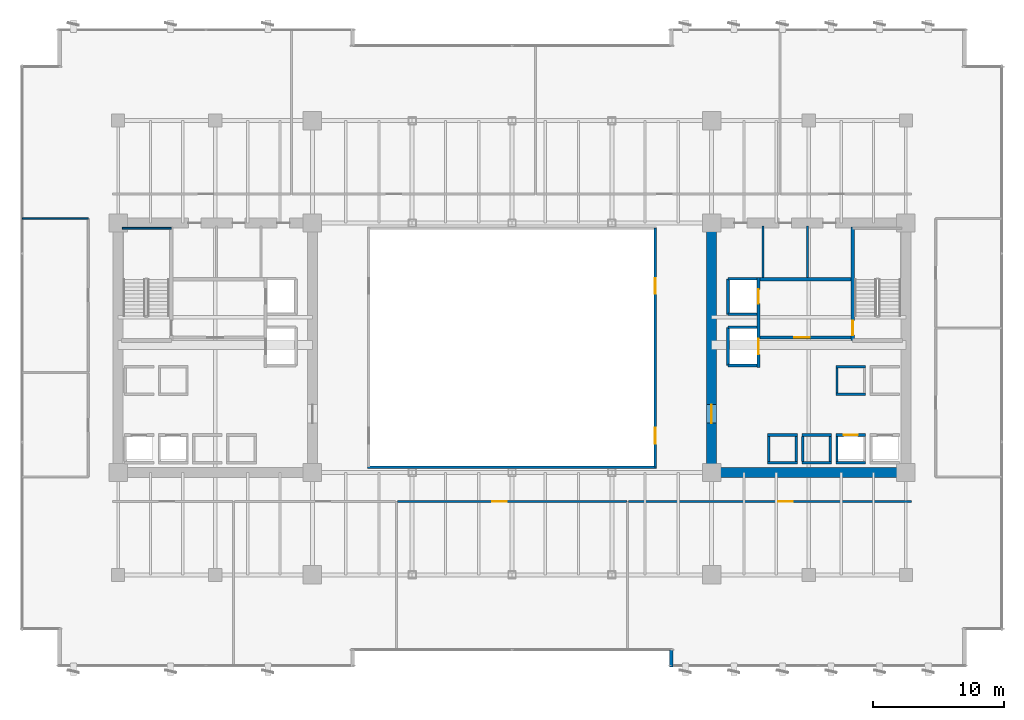
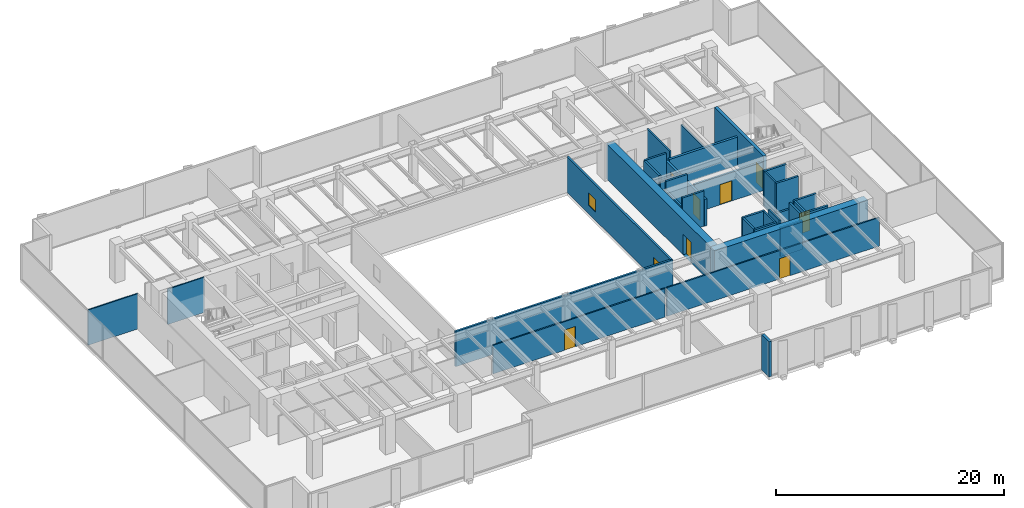
# One storey, part 30 of 36: 35 walls, 8 doors, 2 windows, 10 openings.
"""IFC4 building model written with IfcOpenShell, lengths in metres."""

from ifc_helpers import new_model, si_unit, direction, frame, frame_2d, origin, place, context, subcontext, project, spatial, rectangle, extrude, source, transform, mapped, material, layer, layer_set, type_object, type_shapes, element, fill, save


model = new_model("IFC4")

# Units and contexts
model_context = context("Model", 3, precision=1e-05, world=origin(), true_north=direction((0.0, 1.0)))
body_context = subcontext(model_context, "Body", "Model", "MODEL_VIEW")
ifc_project = project(units=[si_unit("LENGTHUNIT", "METRE"), si_unit("AREAUNIT", "SQUARE_METRE"), si_unit("VOLUMEUNIT", "CUBIC_METRE"), si_unit("PLANEANGLEUNIT", "RADIAN"), si_unit("MASSUNIT", "GRAM", prefix="KILO")], contexts=[model_context])

# Site, building, storey
site_placement = place(None, origin())
site = spatial("IfcSite", under=ifc_project, at=site_placement, CompositionType="ELEMENT")
building_placement = place(site_placement, origin())
building = spatial("IfcBuilding", under=site, at=building_placement, Name="Haelvirn Gate Laboratories", CompositionType="ELEMENT")
storey_placement = place(building_placement, frame((0.0, 0.0, 29.300048828125)))
storey = spatial("IfcBuildingStorey", under=building, at=storey_placement, Name="L07", CompositionType="ELEMENT", Elevation=29.300048828125)

# Wall
ifc_material_1 = material(Name="Thermally-broken bronze aluminium rainscreen & mineral wool", Category="aluminium")
ifc_layer_1 = layer(ifc_material_1, 0.280029296875, Name="EW-TERR-280")
ifc_layer_set_1 = layer_set([ifc_layer_1], Name="Thermally-broken bronze aluminium rainscreen & mineral wool")
wall_type_1 = type_object("IfcWallType", Name="EW-TERR-280", PredefinedType="STANDARD", material=ifc_layer_set_1)
wall_1_placement = place(storey_placement, frame((49.5400390625, 1.2880859375, 0.0), z_axis=(0.0, 0.0, 1.0), x_axis=(0.0, -1.0, 0.0)))
element("IfcWall", 1, at=wall_1_placement, inside=storey, type_object=wall_type_1, Name="L07 Atrium Recess Bronze Return Wall 03", PredefinedType="STANDARD", context=body_context, shape_type="SweptSolid", body=[
    extrude(rectangle(XDim=1.2880859375, YDim=0.280029296875, at=frame_2d((0.64404296875, 0.0))), origin(), (0.0, 0.0, 1.0), 3.780029296875),
])

# Wall, openings, windows
ifc_material_2 = material(Name="Tempered fire-rated borosilicate glass & anodised aluminium", Category="aluminium")
ifc_layer_2 = layer(ifc_material_2, 0.195068359375, Name="IW-GLAZ-200")
ifc_layer_set_2 = layer_set([ifc_layer_2], Name="Tempered fire-rated borosilicate glass & anodised aluminium")
wall_type_2 = type_object("IfcWallType", Name="IW-GLAZ-200", PredefinedType="SOLIDWALL", material=ifc_layer_set_2)
wall_2_placement = place(storey_placement, frame((48.300048828125, 15.199951171875, 0.0), z_axis=(0.0, 0.0, 1.0), x_axis=(0.0, 1.0, 0.0)))
wall_2 = element("IfcWall", 2, at=wall_2_placement, inside=storey, type_object=wall_type_2, Name="L07 Interior Wall IW-L07-ATRIUM-E", PredefinedType="SOLIDWALL", context=body_context, shape_type="SweptSolid", body=[
    extrude(rectangle(XDim=18.199951171875, YDim=0.195068359375, at=frame_2d((9.10009765625, 0.0))), origin(), (0.0, 0.0, 1.0), 3.780029296875),
])
opening_1_placement = place(wall_2_placement, frame((1.800048828125, 0.0, 0.89990234375)))
opening_1 = element("IfcOpeningElement", 3, at=opening_1_placement, cuts=wall_2, Name="Opening W6", PredefinedType="OPENING", context=body_context, shape_type="SweptSolid", body=[
    extrude(rectangle(XDim=1.199951171875, YDim=1.35009765625, at=frame_2d((0.60009765625, 0.675048828125))), frame((0.0, 0.107421875, 0.0), z_axis=(0.0, -1.0, 0.0), x_axis=(1.0, 0.0, 0.0)), (0.0, 0.0, 1.0), 0.215087890625),
])
opening_2_placement = place(wall_2_placement, frame((13.199951171875, 0.0, 0.89990234375)))
opening_2 = element("IfcOpeningElement", 4, at=opening_2_placement, cuts=wall_2, Name="Opening W6", PredefinedType="OPENING", context=body_context, shape_type="SweptSolid", body=[
    extrude(rectangle(XDim=1.199951171875, YDim=1.35009765625, at=frame_2d((0.60009765625, 0.675048828125))), frame((0.0, 0.107421875, 0.0), z_axis=(0.0, -1.0, 0.0), x_axis=(1.0, 0.0, 0.0)), (0.0, 0.0, 1.0), 0.215087890625),
])
ifc_material_3 = material(Name="Fire-rated EI 120 borosilicate atrium vision glazing", Category="glass")
window_type = type_object("IfcWindowType", Name="WN-ATR-1200", PartitioningType="SINGLE_PANEL", PredefinedType="WINDOW", material=ifc_material_3)
shared_shape_1 = source(origin(), body_context, "Body", "SweptSolid", [
    extrude(rectangle(XDim=1.199951171875, YDim=1.35009765625, at=frame_2d((0.60009765625, 0.675048828125))), frame((0.0, 0.030029296875, 0.0), z_axis=(0.0, -1.0, 0.0), x_axis=(1.0, 0.0, 0.0)), (0.0, 0.0, 1.0), 0.06005859375),
])
type_shapes(window_type, [shared_shape_1])
window_1_placement = place(opening_1_placement, origin())
window_1 = element("IfcWindow", 5, at=window_1_placement, inside=storey, type_object=window_type, Name="L07 Atrium Observation Window 1", OverallHeight=1.35009765625, OverallWidth=1.199951171875, PartitioningType="SINGLE_PANEL", PredefinedType="WINDOW", context=body_context, shape_type="MappedRepresentation", body=[
    mapped(shared_shape_1, transform((0.0, 0.0, 0.0), scale=1.0)),
])
fill(opening_1, window_1)
window_2_placement = place(opening_2_placement, origin())
window_2 = element("IfcWindow", 6, at=window_2_placement, inside=storey, type_object=window_type, Name="L07 Atrium Observation Window 2", OverallHeight=1.35009765625, OverallWidth=1.199951171875, PartitioningType="SINGLE_PANEL", PredefinedType="WINDOW", context=body_context, shape_type="MappedRepresentation", body=[
    mapped(shared_shape_1, transform((0.0, 0.0, 0.0), scale=1.0)),
])
fill(opening_2, window_2)

# Walls
wall_3_placement = place(storey_placement, frame((26.39990234375, 15.199951171875, 0.0), z_axis=(0.0, 0.0, 1.0), x_axis=(1.0, 0.0, 0.0)))
element("IfcWall", 7, at=wall_3_placement, inside=storey, type_object=wall_type_2, Name="L07 Interior Wall IW-L07-ATRIUM-S", PredefinedType="SOLIDWALL", context=body_context, shape_type="SweptSolid", body=[
    extrude(rectangle(XDim=22.0, YDim=0.195068359375, at=frame_2d((11.0, 0.0))), origin(), (0.0, 0.0, 1.0), 3.780029296875),
])
ifc_material_4 = material(Name="Lightweight acoustic gypsum board partition", Category="gypsum")
ifc_layer_3 = layer(ifc_material_4, 0.1201171875, Name="IW-PART-120")
ifc_layer_set_3 = layer_set([ifc_layer_3], Name="Lightweight acoustic gypsum board partition")
wall_type_3 = type_object("IfcWallType", Name="IW-PART-120", PredefinedType="PARTITIONING", material=ifc_layer_set_3)
wall_4_placement = place(storey_placement, frame((0.110107421875, 34.135009765625, 0.0), z_axis=(0.0, 0.0, 1.0), x_axis=(1.0, 0.0, 0.0)))
element("IfcWall", 8, at=wall_4_placement, inside=storey, type_object=wall_type_3, Name="L07 Interior Wall IW-L07-WCAP-N", PredefinedType="PARTITIONING", context=body_context, shape_type="SweptSolid", body=[
    extrude(rectangle(XDim=5.019775390625, YDim=0.1201171875, at=frame_2d((2.509765625, 0.0))), origin(), (0.0, 0.0, 1.0), 3.780029296875),
])

# Wall, opening, door
ifc_material_5 = material(Name="Acoustic mineral-wool gypsum board partition", Category="gypsum")
ifc_layer_4 = layer(ifc_material_5, 0.139892578125, Name="IW-PART-140")
ifc_layer_set_4 = layer_set([ifc_layer_4], Name="Acoustic mineral-wool gypsum board partition")
wall_type_4 = type_object("IfcWallType", Name="IW-PART-140", PredefinedType="PARTITIONING", material=ifc_layer_set_4)
wall_5_placement = place(storey_placement, frame((28.679931640625, 12.590087890625, 0.0), z_axis=(0.0, 0.0, 1.0), x_axis=(1.0, 0.0, 0.0)))
wall_5 = element("IfcWall", 9, at=wall_5_placement, inside=storey, type_object=wall_type_4, Name="L07 Interior Wall IW-L07-SCORR-03", PredefinedType="PARTITIONING", context=body_context, shape_type="SweptSolid", body=[
    extrude(rectangle(XDim=17.440185546875, YDim=0.139892578125, at=frame_2d((8.72021484375, 0.0))), origin(), (0.0, 0.0, 1.0), 3.06494140625),
])
opening_3_placement = place(wall_5_placement, frame((7.231689453125, 0.0, 0.0)))
opening_3 = element("IfcOpeningElement", 10, at=opening_3_placement, cuts=wall_5, Name="Opening D1", PredefinedType="OPENING", context=body_context, shape_type="SweptSolid", body=[
    extrude(rectangle(XDim=1.10009765625, YDim=2.179931640625, at=frame_2d((0.550048828125, 1.08984375))), frame((0.0, 0.080078125, 0.0), z_axis=(0.0, -1.0, 0.0), x_axis=(1.0, 0.0, 0.0)), (0.0, 0.0, 1.0), 0.159912109375),
])
ifc_material_6 = material(Name="Vision-panel acoustic solid-core timber lab door", Category="wood")
door_type_1 = type_object("IfcDoorType", Name="DR-LAB-1100", OperationType="NOTDEFINED", PredefinedType="DOOR", material=ifc_material_6)
shared_shape_2 = source(origin(), body_context, "Body", "SweptSolid", [
    extrude(rectangle(XDim=1.10009765625, YDim=2.179931640625, at=frame_2d((0.550048828125, 1.08984375))), frame((0.0, 0.02490234375, 0.0), z_axis=(0.0, -1.0, 0.0), x_axis=(1.0, 0.0, 0.0)), (0.0, 0.0, 1.0), 0.050048828125),
])
type_shapes(door_type_1, [shared_shape_2])
door_1_placement = place(opening_3_placement, origin())
door_1 = element("IfcDoor", 11, at=door_1_placement, inside=storey, type_object=door_type_1, Name="L07 Protocol Briefing Training Room Door S3", OperationType="SINGLE_SWING_RIGHT", OverallHeight=2.179931640625, OverallWidth=1.10009765625, PredefinedType="DOOR", context=body_context, shape_type="MappedRepresentation", body=[
    mapped(shared_shape_2, transform((0.0, 0.0, 0.0), scale=1.0)),
])
fill(opening_3, door_1)

wall_6_placement = place(storey_placement, frame((46.280029296875, 12.590087890625, 0.0), z_axis=(0.0, 0.0, 1.0), x_axis=(1.0, 0.0, 0.0)))
wall_6 = element("IfcWall", 12, at=wall_6_placement, inside=storey, type_object=wall_type_4, Name="L07 Interior Wall IW-L07-SCORR-04", PredefinedType="PARTITIONING", context=body_context, shape_type="SweptSolid", body=[
    extrude(rectangle(XDim=21.5400390625, YDim=0.139892578125, at=frame_2d((10.77001953125, 0.0))), origin(), (0.0, 0.0, 1.0), 3.06494140625),
])
opening_4_placement = place(wall_6_placement, frame((11.404296875, 0.0, 0.0)))
opening_4 = element("IfcOpeningElement", 13, at=opening_4_placement, cuts=wall_6, Name="Opening D1", PredefinedType="OPENING", context=body_context, shape_type="SweptSolid", body=[
    extrude(rectangle(XDim=1.10009765625, YDim=2.179931640625, at=frame_2d((0.550048828125, 1.08984375))), frame((0.0, 0.080078125, 0.0), z_axis=(0.0, -1.0, 0.0), x_axis=(1.0, 0.0, 0.0)), (0.0, 0.0, 1.0), 0.159912109375),
])
door_2_placement = place(opening_4_placement, origin())
door_2 = element("IfcDoor", 14, at=door_2_placement, inside=storey, type_object=door_type_1, Name="L07 Peer-Review Seminar Room Door S4", OperationType="SINGLE_SWING_LEFT", OverallHeight=2.179931640625, OverallWidth=1.10009765625, PredefinedType="DOOR", context=body_context, shape_type="MappedRepresentation", body=[
    mapped(shared_shape_2, transform((0.0, 0.0, 0.0), scale=1.0)),
])
fill(opening_4, door_2)

# Walls
ifc_material_7 = material(Name="Cement-board restroom plumbing chase wall", Category="gypsum")
ifc_layer_5 = layer(ifc_material_7, 0.155029296875, Name="IW-PLUMB-160")
ifc_layer_set_5 = layer_set([ifc_layer_5], Name="Cement-board restroom plumbing chase wall")
wall_type_5 = type_object("IfcWallType", Name="IW-PLUMB-160", PredefinedType="PLUMBINGWALL", material=ifc_layer_set_5)
wall_7_placement = place(storey_placement, frame((59.909912109375, 29.64990234375, 0.0), z_axis=(0.0, 0.0, 1.0), x_axis=(0.0, 1.0, 0.0)))
element("IfcWall", 15, at=wall_7_placement, inside=storey, type_object=wall_type_5, Name="L07 Interior Wall IW-L07-E-CDIV-1", PredefinedType="PLUMBINGWALL", context=body_context, shape_type="SweptSolid", body=[
    extrude(rectangle(XDim=3.93017578125, YDim=0.155029296875, at=frame_2d((1.965087890625, 0.0))), origin(), (0.0, 0.0, 1.0), 3.06494140625),
])
wall_8_placement = place(storey_placement, frame((56.510009765625, 29.64990234375, 0.0), z_axis=(0.0, 0.0, 1.0), x_axis=(0.0, 1.0, 0.0)))
element("IfcWall", 16, at=wall_8_placement, inside=storey, type_object=wall_type_5, Name="L07 Interior Wall IW-L07-E-CDIV-2", PredefinedType="PLUMBINGWALL", context=body_context, shape_type="SweptSolid", body=[
    extrude(rectangle(XDim=3.93017578125, YDim=0.155029296875, at=frame_2d((1.965087890625, 0.0))), origin(), (0.0, 0.0, 1.0), 3.780029296875),
])
ifc_material_8 = material(Name="Concrete C40/50", Category="concrete")
ifc_layer_6 = layer(ifc_material_8, 0.179931640625, Name="IW-SHAFT-180")
ifc_layer_set_6 = layer_set([ifc_layer_6], Name="Concrete C40/50")
wall_type_6 = type_object("IfcWallType", Name="IW-SHAFT-180", PredefinedType="SOLIDWALL", material=ifc_layer_set_6)
for number, where, z_axis, x_axis, name in (
    (17, (62.14990234375, 15.64990234375, 0.0), (0.0, 0.0, 1.0), (0.0, 1.0, 0.0), "L07 Interior Wall IW-L07-PL4-SD"),
    (18, (59.550048828125, 15.64990234375, 0.0), (0.0, 0.0, 1.0), (0.0, 1.0, 0.0), "L07 Interior Wall IW-L07-PL7-SD"),
    (19, (61.64990234375, 15.64990234375, 0.0), (0.0, 0.0, 1.0), (0.0, 1.0, 0.0), "L07 Interior Wall IW-L07-PL7-SDE"),
    (20, (56.949951171875, 15.64990234375, 0.0), (0.0, 0.0, 1.0), (0.0, 1.0, 0.0), "L07 Interior Wall IW-L07-PL8-SD"),
    (21, (59.050048828125, 15.64990234375, 0.0), (0.0, 0.0, 1.0), (0.0, 1.0, 0.0), "L07 Interior Wall IW-L07-PL8-SDE"),
):
    element("IfcWall", number, at=place(storey_placement, frame(where, z_axis=z_axis, x_axis=x_axis)), inside=storey, type_object=wall_type_6, Name=name, PredefinedType="SOLIDWALL", context=body_context, shape_type="SweptSolid", body=[
        extrude(rectangle(XDim=1.900146484375, YDim=0.179931640625, at=frame_2d((0.9501953125, 0.0))), origin(), (0.0, 0.0, 1.0), 3.780029296875),
    ])
wall_9_placement = place(storey_placement, frame((62.14990234375, 20.85009765625, 0.0), z_axis=(0.0, 0.0, 1.0), x_axis=(0.0, 1.0, 0.0)))
element("IfcWall", 22, at=wall_9_placement, inside=storey, type_object=wall_type_6, Name="L07 Interior Wall IW-L07-PL12-SD", PredefinedType="SOLIDWALL", context=body_context, shape_type="SweptSolid", body=[
    extrude(rectangle(XDim=1.89990234375, YDim=0.179931640625, at=frame_2d((0.949951171875, 0.0))), origin(), (0.0, 0.0, 1.0), 3.780029296875),
])

# Wall, opening, door
ifc_layer_7 = layer(ifc_material_8, 0.199951171875, Name="IW-SHAFT-200")
ifc_layer_set_7 = layer_set([ifc_layer_7], Name="Concrete C40/50")
wall_type_7 = type_object("IfcWallType", Name="IW-SHAFT-200", PredefinedType="SOLIDWALL", material=ifc_layer_set_7)
wall_10_placement = place(storey_placement, frame((62.070068359375, 17.64990234375, 0.0), z_axis=(0.0, 0.0, 1.0), x_axis=(1.0, 0.0, 0.0)))
wall_10 = element("IfcWall", 23, at=wall_10_placement, inside=storey, type_object=wall_type_7, Name="L07 Interior Wall IW-L07-PL4-FR", PredefinedType="SOLIDWALL", context=body_context, shape_type="SweptSolid", body=[
    extrude(rectangle(XDim=2.260009765625, YDim=0.199951171875, at=frame_2d((1.1298828125, 0.0))), origin(), (0.0, 0.0, 1.0), 3.780029296875),
])
opening_5_placement = place(wall_10_placement, frame((0.580078125, 0.0, 0.0)))
opening_5 = element("IfcOpeningElement", 24, at=opening_5_placement, cuts=wall_10, Name="Opening LD2", PredefinedType="OPENING", context=body_context, shape_type="SweptSolid", body=[
    extrude(rectangle(XDim=1.10009765625, YDim=2.219970703125, at=frame_2d((0.550048828125, 1.10986328125))), frame((0.0, 0.10986328125, 0.0), z_axis=(0.0, -1.0, 0.0), x_axis=(1.0, 0.0, 0.0)), (0.0, 0.0, 1.0), 0.219970703125),
])
ifc_material_9 = material(Name="Bronze stainless 316L sliding lift landing door")
door_type_2 = type_object("IfcDoorType", Name="DR-LD-1100", OperationType="NOTDEFINED", PredefinedType="USERDEFINED", material=ifc_material_9)
shared_shape_3 = source(origin(), body_context, "Body", "SweptSolid", [
    extrude(rectangle(XDim=1.10009765625, YDim=2.219970703125, at=frame_2d((0.550048828125, 1.10986328125))), frame((0.0, 0.02490234375, 0.0), z_axis=(0.0, -1.0, 0.0), x_axis=(1.0, 0.0, 0.0)), (0.0, 0.0, 1.0), 0.050048828125),
])
type_shapes(door_type_2, [shared_shape_3])
door_3_placement = place(opening_5_placement, origin())
door_3 = element("IfcDoor", 25, at=door_3_placement, inside=storey, type_object=door_type_2, Name="L07 Passenger Lift PL4 Landing Door", ObjectType="LANDING_DOOR", OperationType="SLIDING_TO_RIGHT", OverallHeight=2.219970703125, OverallWidth=1.10009765625, PredefinedType="USERDEFINED", context=body_context, shape_type="MappedRepresentation", body=[
    mapped(shared_shape_3, transform((0.0, 0.0, 0.0), scale=1.0)),
])
fill(opening_5, door_3)

# Walls
wall_11_placement = place(storey_placement, frame((62.070068359375, 15.550048828125, 0.0), z_axis=(0.0, 0.0, 1.0), x_axis=(1.0, 0.0, 0.0)))
element("IfcWall", 26, at=wall_11_placement, inside=storey, type_object=wall_type_7, Name="L07 Interior Wall IW-L07-PL4-BK", PredefinedType="SOLIDWALL", context=body_context, shape_type="SweptSolid", body=[
    extrude(rectangle(XDim=2.260009765625, YDim=0.199951171875, at=frame_2d((1.1298828125, 0.0))), origin(), (0.0, 0.0, 1.0), 3.780029296875),
])
for number, where, z_axis, x_axis, name in (
    (27, (59.469970703125, 17.64990234375, 0.0), (0.0, 0.0, 1.0), (1.0, 0.0, 0.0), "L07 Interior Wall IW-L07-PL7-FR"),
    (28, (59.469970703125, 15.550048828125, 0.0), (0.0, 0.0, 1.0), (1.0, 0.0, 0.0), "L07 Interior Wall IW-L07-PL7-BK"),
):
    element("IfcWall", number, at=place(storey_placement, frame(where, z_axis=z_axis, x_axis=x_axis)), inside=storey, type_object=wall_type_7, Name=name, PredefinedType="SOLIDWALL", context=body_context, shape_type="SweptSolid", body=[
        extrude(rectangle(XDim=2.260009765625, YDim=0.199951171875, at=frame_2d((1.1298828125, 0.0))), origin(), (0.0, 0.0, 1.0), 3.06494140625),
    ])
for number, where, z_axis, x_axis, name in (
    (29, (56.8701171875, 17.64990234375, 0.0), (0.0, 0.0, 1.0), (1.0, 0.0, 0.0), "L07 Interior Wall IW-L07-PL8-FR"),
    (30, (56.8701171875, 15.550048828125, 0.0), (0.0, 0.0, 1.0), (1.0, 0.0, 0.0), "L07 Interior Wall IW-L07-PL8-BK"),
):
    element("IfcWall", number, at=place(storey_placement, frame(where, z_axis=z_axis, x_axis=x_axis)), inside=storey, type_object=wall_type_7, Name=name, PredefinedType="SOLIDWALL", context=body_context, shape_type="SweptSolid", body=[
        extrude(rectangle(XDim=2.259765625, YDim=0.199951171875, at=frame_2d((1.1298828125, 0.0))), origin(), (0.0, 0.0, 1.0), 3.780029296875),
    ])
for number, where, z_axis, x_axis, name in (
    (31, (62.070068359375, 20.75, 0.0), (0.0, 0.0, 1.0), (1.0, 0.0, 0.0), "L07 Interior Wall IW-L07-PL12-FR"),
    (32, (62.070068359375, 22.85009765625, 0.0), (0.0, 0.0, 1.0), (1.0, 0.0, 0.0), "L07 Interior Wall IW-L07-PL12-BK"),
):
    element("IfcWall", number, at=place(storey_placement, frame(where, z_axis=z_axis, x_axis=x_axis)), inside=storey, type_object=wall_type_7, Name=name, PredefinedType="SOLIDWALL", context=body_context, shape_type="SweptSolid", body=[
        extrude(rectangle(XDim=2.260009765625, YDim=0.199951171875, at=frame_2d((1.1298828125, 0.0))), origin(), (0.0, 0.0, 1.0), 3.780029296875),
    ])
wall_12_placement = place(storey_placement, frame((53.85009765625, 26.85009765625, 0.0), z_axis=(0.0, 0.0, 1.0), x_axis=(0.0, 1.0, 0.0)))
element("IfcWall", 33, at=wall_12_placement, inside=storey, type_object=wall_type_7, Name="L07 Interior Wall IW-L07-FL2-BK", PredefinedType="SOLIDWALL", context=body_context, shape_type="SweptSolid", body=[
    extrude(rectangle(XDim=2.699951171875, YDim=0.199951171875, at=frame_2d((1.35009765625, 0.0))), origin(), (0.0, 0.0, 1.0), 3.780029296875),
])
wall_13_placement = place(storey_placement, frame((53.85009765625, 29.550048828125, 0.0), z_axis=(0.0, 0.0, 1.0), x_axis=(1.0, 0.0, 0.0)))
element("IfcWall", 34, at=wall_13_placement, inside=storey, type_object=wall_type_7, Name="L07 Interior Wall IW-L07-FL2-N", PredefinedType="SOLIDWALL", context=body_context, shape_type="SweptSolid", body=[
    extrude(rectangle(XDim=2.18994140625, YDim=0.199951171875, at=frame_2d((1.094970703125, 0.0))), origin(), (0.0, 0.0, 1.0), 3.780029296875),
])
wall_14_placement = place(storey_placement, frame((53.85009765625, 26.85009765625, 0.0), z_axis=(0.0, 0.0, 1.0), x_axis=(1.0, 0.0, 0.0)))
element("IfcWall", 35, at=wall_14_placement, inside=storey, type_object=wall_type_7, Name="L07 Interior Wall IW-L07-FL2-S", PredefinedType="SOLIDWALL", context=body_context, shape_type="SweptSolid", body=[
    extrude(rectangle(XDim=2.18994140625, YDim=0.199951171875, at=frame_2d((1.094970703125, 0.0))), origin(), (0.0, 0.0, 1.0), 3.177001953125),
])
wall_15_placement = place(storey_placement, frame((53.85009765625, 22.949951171875, 0.0), z_axis=(0.0, 0.0, 1.0), x_axis=(0.0, 1.0, 0.0)))
element("IfcWall", 36, at=wall_15_placement, inside=storey, type_object=wall_type_7, Name="L07 Interior Wall IW-L07-SL2-BK", PredefinedType="SOLIDWALL", context=body_context, shape_type="SweptSolid", body=[
    extrude(rectangle(XDim=2.900146484375, YDim=0.199951171875, at=frame_2d((1.4501953125, 0.0))), origin(), (0.0, 0.0, 1.0), 2.864990234375),
])
for number, where, z_axis, x_axis, name in (
    (37, (53.85009765625, 25.85009765625, 0.0), (0.0, 0.0, 1.0), (1.0, 0.0, 0.0), "L07 Interior Wall IW-L07-SL2-N"),
    (38, (53.85009765625, 22.949951171875, 0.0), (0.0, 0.0, 1.0), (1.0, 0.0, 0.0), "L07 Interior Wall IW-L07-SL2-S"),
):
    element("IfcWall", number, at=place(storey_placement, frame(where, z_axis=z_axis, x_axis=x_axis)), inside=storey, type_object=wall_type_7, Name=name, PredefinedType="SOLIDWALL", context=body_context, shape_type="SweptSolid", body=[
        extrude(rectangle(XDim=2.18994140625, YDim=0.199951171875, at=frame_2d((1.094970703125, 0.0))), origin(), (0.0, 0.0, 1.0), 3.780029296875),
    ])

# Wall, opening, door
ifc_layer_8 = layer(ifc_material_8, 0.239990234375, Name="IW-SHAFT-240")
ifc_layer_set_8 = layer_set([ifc_layer_8], Name="Concrete C40/50")
wall_type_8 = type_object("IfcWallType", Name="IW-SHAFT-240", PredefinedType="SOLIDWALL", material=ifc_layer_set_8)
wall_16_placement = place(storey_placement, frame((56.280029296875, 25.080078125, 0.0), z_axis=(0.0, 0.0, 1.0), x_axis=(1.0, 0.0, 0.0)))
wall_16 = element("IfcWall", 39, at=wall_16_placement, inside=storey, type_object=wall_type_8, Name="L07 Interior Wall IW-L07-E-FF-S", PredefinedType="SOLIDWALL", context=body_context, shape_type="SweptSolid", body=[
    extrude(rectangle(XDim=6.919921875, YDim=0.239990234375, at=frame_2d((3.4599609375, 0.0))), origin(), (0.0, 0.0, 1.0), 3.06494140625),
])
opening_6_placement = place(wall_16_placement, frame((2.60009765625, 0.0, 0.0)))
opening_6 = element("IfcOpeningElement", 40, at=opening_6_placement, cuts=wall_16, Name="Opening FD2", PredefinedType="OPENING", context=body_context, shape_type="SweptSolid", body=[
    extrude(rectangle(XDim=1.199951171875, YDim=2.159912109375, at=frame_2d((0.60009765625, 1.080078125))), frame((0.0, 0.1298828125, 0.0), z_axis=(0.0, -1.0, 0.0), x_axis=(1.0, 0.0, 0.0)), (0.0, 0.0, 1.0), 0.260009765625),
])
ifc_material_10 = material(Name="Fire-rated steel SM355 compartment door", Category="steel")
door_type_3 = type_object("IfcDoorType", Name="DR-FD-1200", OperationType="NOTDEFINED", PredefinedType="DOOR", material=ifc_material_10)
shared_shape_4 = source(origin(), body_context, "Body", "SweptSolid", [
    extrude(rectangle(XDim=1.199951171875, YDim=2.159912109375, at=frame_2d((0.60009765625, 1.080078125))), frame((0.0, 0.02490234375, 0.0), z_axis=(0.0, -1.0, 0.0), x_axis=(1.0, 0.0, 0.0)), (0.0, 0.0, 1.0), 0.050048828125),
])
type_shapes(door_type_3, [shared_shape_4])
door_4_placement = place(opening_6_placement, origin())
door_4 = element("IfcDoor", 41, at=door_4_placement, inside=storey, type_object=door_type_3, Name="L07 East Firefighting Lobby Door", OperationType="SINGLE_SWING_LEFT", OverallHeight=2.159912109375, OverallWidth=1.199951171875, PredefinedType="DOOR", context=body_context, shape_type="MappedRepresentation", body=[
    mapped(shared_shape_4, transform((0.0, 0.0, 0.0), scale=1.0)),
])
fill(opening_6, door_4)

# Wall
wall_17_placement = place(storey_placement, frame((56.280029296875, 29.52001953125, 0.0), z_axis=(0.0, 0.0, 1.0), x_axis=(1.0, 0.0, 0.0)))
element("IfcWall", 42, at=wall_17_placement, inside=storey, type_object=wall_type_8, Name="L07 Interior Wall IW-L07-E-FF-N", PredefinedType="SOLIDWALL", context=body_context, shape_type="SweptSolid", body=[
    extrude(rectangle(XDim=6.919921875, YDim=0.239990234375, at=frame_2d((3.4599609375, 0.0))), origin(), (0.0, 0.0, 1.0), 3.06494140625),
])

# Wall, openings, doors
wall_18_placement = place(storey_placement, frame((56.159912109375, 22.800048828125, 0.0), z_axis=(0.0, 0.0, 1.0), x_axis=(0.0, 1.0, 0.0)))
wall_18 = element("IfcWall", 43, at=wall_18_placement, inside=storey, type_object=wall_type_8, Name="L07 Interior Wall IW-L07-E-FF-E", PredefinedType="SOLIDWALL", context=body_context, shape_type="SweptSolid", body=[
    extrude(rectangle(XDim=6.849853515625, YDim=0.239990234375, at=frame_2d((3.4248046875, 0.0))), origin(), (0.0, 0.0, 1.0), 2.864990234375),
])
opening_7_placement = place(wall_18_placement, frame((4.85009765625, 0.0, 0.0)))
opening_7 = element("IfcOpeningElement", 44, at=opening_7_placement, cuts=wall_18, Name="Opening LD2", PredefinedType="OPENING", context=body_context, shape_type="SweptSolid", body=[
    extrude(rectangle(XDim=1.10009765625, YDim=2.219970703125, at=frame_2d((0.550048828125, 1.10986328125))), frame((0.0, 0.1298828125, 0.0), z_axis=(0.0, -1.0, 0.0), x_axis=(1.0, 0.0, 0.0)), (0.0, 0.0, 1.0), 0.260009765625),
])
opening_8_placement = place(wall_18_placement, frame((1.0, 0.0, 0.0)))
opening_8 = element("IfcOpeningElement", 45, at=opening_8_placement, cuts=wall_18, Name="Opening LD1", PredefinedType="OPENING", context=body_context, shape_type="SweptSolid", body=[
    extrude(rectangle(XDim=1.199951171875, YDim=2.219970703125, at=frame_2d((0.60009765625, 1.10986328125))), frame((0.0, 0.1298828125, 0.0), z_axis=(0.0, -1.0, 0.0), x_axis=(1.0, 0.0, 0.0)), (0.0, 0.0, 1.0), 0.260009765625),
])
door_5_placement = place(opening_7_placement, origin())
door_5 = element("IfcDoor", 46, at=door_5_placement, inside=storey, type_object=door_type_2, Name="L07 Firefighting Lift FL2 Landing Door", ObjectType="LANDING_DOOR", OperationType="SLIDING_TO_RIGHT", OverallHeight=2.219970703125, OverallWidth=1.10009765625, PredefinedType="USERDEFINED", context=body_context, shape_type="MappedRepresentation", body=[
    mapped(shared_shape_3, transform((0.0, 0.0, 0.0), scale=1.0)),
])
fill(opening_7, door_5)
ifc_material_11 = material(Name="Stainless steel 316L sliding goods landing door", Category="steel")
door_type_4 = type_object("IfcDoorType", Name="DR-LD-1200", OperationType="NOTDEFINED", PredefinedType="USERDEFINED", material=ifc_material_11)
shared_shape_5 = source(origin(), body_context, "Body", "SweptSolid", [
    extrude(rectangle(XDim=1.199951171875, YDim=2.219970703125, at=frame_2d((0.60009765625, 1.10986328125))), frame((0.0, 0.02490234375, 0.0), z_axis=(0.0, -1.0, 0.0), x_axis=(1.0, 0.0, 0.0)), (0.0, 0.0, 1.0), 0.050048828125),
])
type_shapes(door_type_4, [shared_shape_5])
door_6_placement = place(opening_8_placement, origin())
door_6 = element("IfcDoor", 47, at=door_6_placement, inside=storey, type_object=door_type_4, Name="L07 Service Lift SL2 Landing Door", ObjectType="LANDING_DOOR", OperationType="SLIDING_TO_LEFT", OverallHeight=2.219970703125, OverallWidth=1.199951171875, PredefinedType="USERDEFINED", context=body_context, shape_type="MappedRepresentation", body=[
    mapped(shared_shape_5, transform((0.0, 0.0, 0.0), scale=1.0)),
])
fill(opening_8, door_6)

# Wall
ifc_material_12 = material(Name="Concrete C70/85", Category="concrete")
ifc_layer_9 = layer(ifc_material_12, 0.75, Name="SW-CORE-750")
ifc_layer_set_9 = layer_set([ifc_layer_9], Name="Concrete C70/85")
wall_type_9 = type_object("IfcWallType", Name="SW-CORE-750", PredefinedType="SHEAR", material=ifc_layer_set_9)
wall_19_placement = place(storey_placement, frame((52.22509765625, 14.800048828125, 0.0), z_axis=(0.0, 0.0, 1.0), x_axis=(1.0, 0.0, 0.0)))
element("IfcWall", 48, at=wall_19_placement, inside=storey, type_object=wall_type_9, Name="L07 E Core Shear Wall S", PredefinedType="SHEAR", context=body_context, shape_type="SweptSolid", body=[
    extrude(rectangle(XDim=15.5498046875, YDim=0.75, at=frame_2d((7.77490234375, 0.0))), origin(), (0.0, 0.0, 1.0), 3.780029296875),
])

# Wall, opening, door
wall_20_placement = place(storey_placement, frame((52.60009765625, 15.175048828125, 0.0), z_axis=(0.0, 0.0, 1.0), x_axis=(0.0, 1.0, 0.0)))
wall_20 = element("IfcWall", 49, at=wall_20_placement, inside=storey, type_object=wall_type_9, Name="L07 E Core Shear Wall W", PredefinedType="SHEAR", context=body_context, shape_type="SweptSolid", body=[
    extrude(rectangle(XDim=18.25, YDim=0.75, at=frame_2d((9.125, 0.0))), origin(), (0.0, 0.0, 1.0), 3.780029296875),
])
opening_9_placement = place(wall_20_placement, frame((3.375, 0.0, 0.0)))
opening_9 = element("IfcOpeningElement", 50, at=opening_9_placement, cuts=wall_20, Name="Opening FD1", PredefinedType="OPENING", context=body_context, shape_type="SweptSolid", body=[
    extrude(rectangle(XDim=1.419921875, YDim=2.199951171875, at=frame_2d((0.7099609375, 1.10009765625))), frame((0.0, 0.385009765625, 0.0), z_axis=(0.0, -1.0, 0.0), x_axis=(1.0, 0.0, 0.0)), (0.0, 0.0, 1.0), 0.77001953125),
])
ifc_material_13 = material(Name="Fire-rated double steel SM355 lobby door", Category="steel")
door_type_5 = type_object("IfcDoorType", Name="DR-FD-1400", OperationType="NOTDEFINED", PredefinedType="DOOR", material=ifc_material_13)
shared_shape_6 = source(origin(), body_context, "Body", "SweptSolid", [
    extrude(rectangle(XDim=1.419921875, YDim=2.199951171875, at=frame_2d((0.7099609375, 1.10009765625))), frame((0.0, 0.02490234375, 0.0), z_axis=(0.0, -1.0, 0.0), x_axis=(1.0, 0.0, 0.0)), (0.0, 0.0, 1.0), 0.050048828125),
])
type_shapes(door_type_5, [shared_shape_6])
door_7_placement = place(opening_9_placement, origin())
door_7 = element("IfcDoor", 51, at=door_7_placement, inside=storey, type_object=door_type_5, Name="L07 East Core Lift Lobby Fire Door", OperationType="DOUBLE_DOOR_SINGLE_SWING", OverallHeight=2.199951171875, OverallWidth=1.419921875, PredefinedType="DOOR", context=body_context, shape_type="MappedRepresentation", body=[
    mapped(shared_shape_6, transform((0.0, 0.0, 0.0), scale=1.0)),
])
fill(opening_9, door_7)

# Wall
ifc_material_14 = material(Name="Concrete C50/60", Category="concrete")
ifc_layer_10 = layer(ifc_material_14, 0.1201171875, Name="SW-LINER-120")
ifc_layer_set_10 = layer_set([ifc_layer_10], Name="Concrete C50/60")
wall_type_10 = type_object("IfcWallType", Name="SW-LINER-120", PredefinedType="SOLIDWALL", material=ifc_layer_set_10)
wall_21_placement = place(storey_placement, frame((7.72998046875, 33.39990234375, 0.0), z_axis=(0.0, 0.0, 1.0), x_axis=(1.0, 0.0, 0.0)))
element("IfcWall", 52, at=wall_21_placement, inside=storey, type_object=wall_type_10, Name="L07 W Core Stair Shaft Liner Wall N", PredefinedType="SOLIDWALL", context=body_context, shape_type="SweptSolid", body=[
    extrude(rectangle(XDim=3.719970703125, YDim=0.1201171875, at=frame_2d((1.85986328125, 0.0))), origin(), (0.0, 0.0, 1.0), 3.780029296875),
])

# Wall, opening, door
ifc_layer_11 = layer(ifc_material_14, 0.300048828125, Name="SW-STAIR-300")
ifc_layer_set_11 = layer_set([ifc_layer_11], Name="Concrete C50/60")
wall_type_11 = type_object("IfcWallType", Name="SW-STAIR-300", PredefinedType="SHEAR", material=ifc_layer_set_11)
wall_22_placement = place(storey_placement, frame((63.35009765625, 24.85009765625, 0.0), z_axis=(0.0, 0.0, 1.0), x_axis=(0.0, 1.0, 0.0)))
wall_22 = element("IfcWall", 53, at=wall_22_placement, inside=storey, type_object=wall_type_11, Name="L07 E Core Stair Shaft Structural Wall IN", PredefinedType="SHEAR", context=body_context, shape_type="SweptSolid", body=[
    extrude(rectangle(XDim=8.6298828125, YDim=0.300048828125, at=frame_2d((4.31494140625, 0.0))), origin(), (0.0, 0.0, 1.0), 3.780029296875),
])
opening_10_placement = place(wall_22_placement, frame((0.419921875, 0.0, 0.0)))
opening_10 = element("IfcOpeningElement", 54, at=opening_10_placement, cuts=wall_22, Name="Opening FD3", PredefinedType="OPENING", context=body_context, shape_type="SweptSolid", body=[
    extrude(rectangle(XDim=1.10009765625, YDim=2.14990234375, at=frame_2d((0.550048828125, 1.074951171875))), frame((0.0, 0.16015625, 0.0), z_axis=(0.0, -1.0, 0.0), x_axis=(1.0, 0.0, 0.0)), (0.0, 0.0, 1.0), 0.320068359375),
])
ifc_material_15 = material(Name="Fire-rated steel SM355 escape stair door", Category="steel")
door_type_6 = type_object("IfcDoorType", Name="DR-FD-1100", OperationType="NOTDEFINED", PredefinedType="DOOR", material=ifc_material_15)
shared_shape_7 = source(origin(), body_context, "Body", "SweptSolid", [
    extrude(rectangle(XDim=1.10009765625, YDim=2.14990234375, at=frame_2d((0.550048828125, 1.074951171875))), frame((0.0, 0.02490234375, 0.0), z_axis=(0.0, -1.0, 0.0), x_axis=(1.0, 0.0, 0.0)), (0.0, 0.0, 1.0), 0.050048828125),
])
type_shapes(door_type_6, [shared_shape_7])
door_8_placement = place(opening_10_placement, origin())
door_8 = element("IfcDoor", 55, at=door_8_placement, inside=storey, type_object=door_type_6, Name="L07 Escape Stair ST2 Fire Door", OperationType="SINGLE_SWING_RIGHT", OverallHeight=2.14990234375, OverallWidth=1.10009765625, PredefinedType="DOOR", context=body_context, shape_type="MappedRepresentation", body=[
    mapped(shared_shape_7, transform((0.0, 0.0, 0.0), scale=1.0)),
])
fill(opening_10, door_8)

save(model, "model.ifc")
